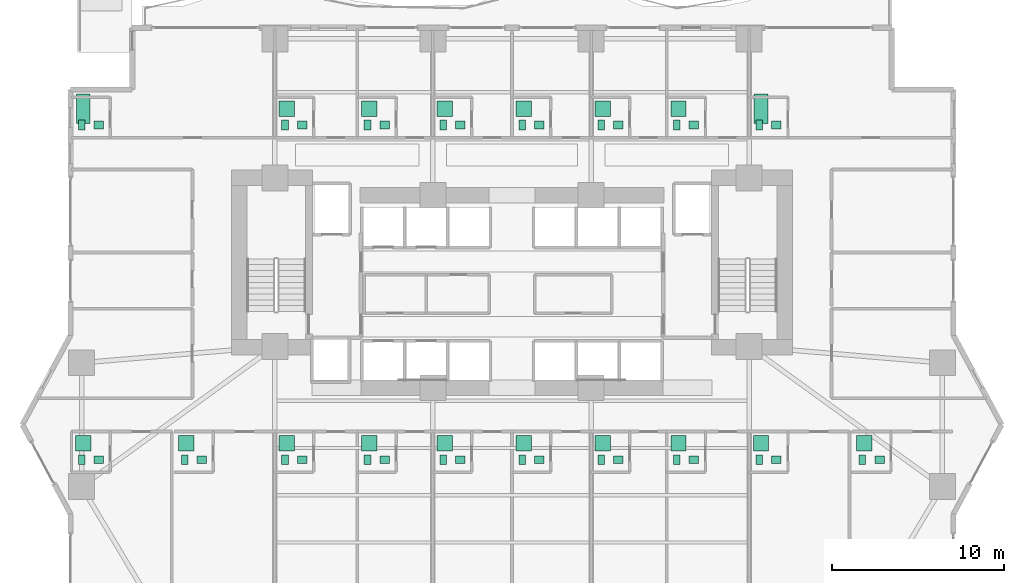
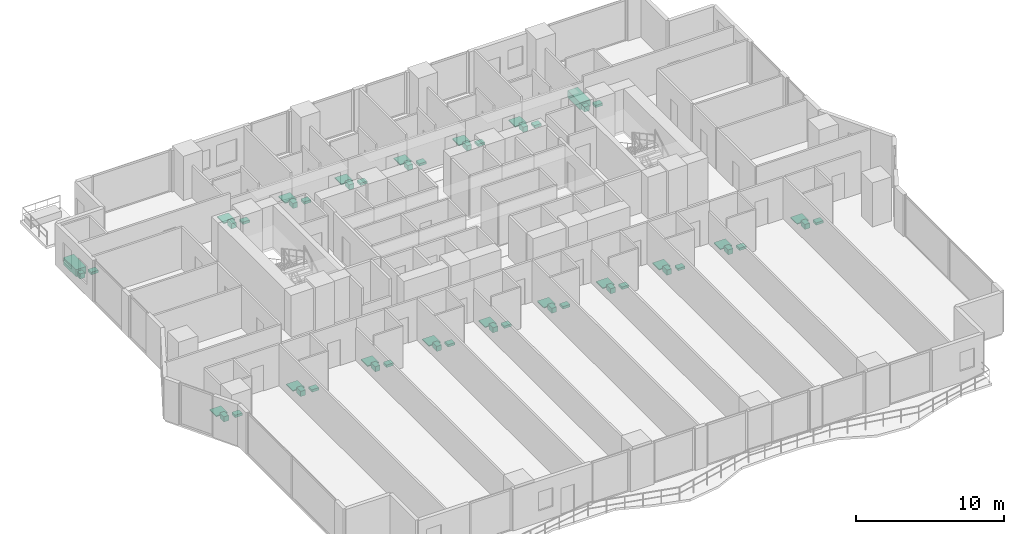
# One storey, part 29 of 29: 54 sanitary terminals.
"""IFC4 building model written with IfcOpenShell, lengths in metres."""

from ifc_helpers import new_model, si_unit, direction, frame, origin, origin_2d, place, context, subcontext, project, spatial, rectangle, extrude, material, type_object, element, save


model = new_model("IFC4")

# Units and contexts
model_context = context("Model", 3, precision=1e-05, world=origin(), true_north=direction((0.0, 1.0)))
body_context = subcontext(model_context, "Body", "Model", "MODEL_VIEW")
ifc_project = project(units=[si_unit("LENGTHUNIT", "METRE"), si_unit("AREAUNIT", "SQUARE_METRE"), si_unit("VOLUMEUNIT", "CUBIC_METRE"), si_unit("PLANEANGLEUNIT", "RADIAN"), si_unit("MASSUNIT", "GRAM", prefix="KILO")], contexts=[model_context])

# Site, building, storey
site_placement = place(None, origin())
site = spatial("IfcSite", under=ifc_project, at=site_placement, CompositionType="ELEMENT")
building_placement = place(site_placement, origin())
building = spatial("IfcBuilding", under=site, at=building_placement, Name="Zuhayl Quay Hotel", CompositionType="ELEMENT")
storey_placement = place(building_placement, frame((0.0, 0.0, 64.10009765625)))
storey = spatial("IfcBuildingStorey", under=building, at=storey_placement, Name="L15", CompositionType="ELEMENT", Elevation=64.10009765625)

# Sanitary terminals
ifc_material = material(Name="Vitreous Porcelain Sanitaryware")
sanitary_terminal_type_1 = type_object("IfcSanitaryTerminalType", Name="SAN_BASIN", PredefinedType="WASHHANDBASIN", material=ifc_material)
for number, where, z_axis, x_axis, name in (
    (1, (-24.050048828125, 17.43994140625, 0.0), (0.0, 0.0, 1.0), (1.0, 0.0, 0.0), "L15 Sanitary Fixture WASHHANDBASIN"),
    (2, (-12.2099609375, 17.43994140625, 0.0), (0.0, 0.0, 1.0), (1.0, 0.0, 0.0), "L15 Sanitary Fixture WASHHANDBASIN"),
    (3, (-7.409912109375, 17.43994140625, 0.0), (0.0, 0.0, 1.0), (1.0, 0.0, 0.0), "L15 Sanitary Fixture WASHHANDBASIN"),
    (4, (-3.010009765625, 17.43994140625, 0.0), (0.0, 0.0, 1.0), (1.0, 0.0, 0.0), "L15 Sanitary Fixture WASHHANDBASIN"),
    (5, (1.590087890625, 17.43994140625, 0.0), (0.0, 0.0, 1.0), (1.0, 0.0, 0.0), "L15 Sanitary Fixture WASHHANDBASIN"),
    (6, (6.18994140625, 17.43994140625, 0.0), (0.0, 0.0, 1.0), (1.0, 0.0, 0.0), "L15 Sanitary Fixture WASHHANDBASIN"),
    (7, (10.590087890625, 17.43994140625, 0.0), (0.0, 0.0, 1.0), (1.0, 0.0, 0.0), "L15 Sanitary Fixture WASHHANDBASIN"),
    (8, (15.389892578125, 17.43994140625, 0.0), (0.0, 0.0, 1.0), (1.0, 0.0, 0.0), "L15 Sanitary Fixture WASHHANDBASIN"),
    (9, (-24.050048828125, -2.0400390625, 0.0), (0.0, 0.0, 1.0), (1.0, 0.0, 0.0), "L15 Sanitary Fixture WASHHANDBASIN"),
    (10, (-18.050048828125, -2.0400390625, 0.0), (0.0, 0.0, 1.0), (1.0, 0.0, 0.0), "L15 Sanitary Fixture WASHHANDBASIN"),
    (11, (-12.2099609375, -2.0400390625, 0.0), (0.0, 0.0, 1.0), (1.0, 0.0, 0.0), "L15 Sanitary Fixture WASHHANDBASIN"),
    (12, (-7.409912109375, -2.0400390625, 0.0), (0.0, 0.0, 1.0), (1.0, 0.0, 0.0), "L15 Sanitary Fixture WASHHANDBASIN"),
    (13, (-3.010009765625, -2.0400390625, 0.0), (0.0, 0.0, 1.0), (1.0, 0.0, 0.0), "L15 Sanitary Fixture WASHHANDBASIN"),
    (14, (1.590087890625, -2.0400390625, 0.0), (0.0, 0.0, 1.0), (1.0, 0.0, 0.0), "L15 Sanitary Fixture WASHHANDBASIN"),
    (15, (6.18994140625, -2.0400390625, 0.0), (0.0, 0.0, 1.0), (1.0, 0.0, 0.0), "L15 Sanitary Fixture WASHHANDBASIN"),
    (16, (10.590087890625, -2.0400390625, 0.0), (0.0, 0.0, 1.0), (1.0, 0.0, 0.0), "L15 Sanitary Fixture WASHHANDBASIN"),
    (17, (15.389892578125, -2.0400390625, 0.0), (0.0, 0.0, 1.0), (1.0, 0.0, 0.0), "L15 Sanitary Fixture WASHHANDBASIN"),
    (18, (21.389892578125, -2.0400390625, 0.0), (0.0, 0.0, 1.0), (1.0, 0.0, 0.0), "L15 Sanitary Fixture WASHHANDBASIN"),
):
    element("IfcSanitaryTerminal", number, at=place(storey_placement, frame(where, z_axis=z_axis, x_axis=x_axis)), inside=storey, type_object=sanitary_terminal_type_1, Name=name, PredefinedType="WASHHANDBASIN", context=body_context, shape_type="SweptSolid", body=[
        extrude(rectangle(XDim=0.550048828125, YDim=0.449951171875, at=origin_2d()), origin(), (0.0, 0.0, 1.0), 0.199951171875),
    ])
sanitary_terminal_type_2 = type_object("IfcSanitaryTerminalType", Name="SAN_BATH", PredefinedType="BATH", material=ifc_material)
for number, where, z_axis, x_axis, name in (
    (19, (-24.949951171875, 18.389892578125, -0.000244140625), (0.0, 0.0, 1.0), (1.0, 0.0, 0.0), "L15 Sanitary Fixture BATH"),
    (20, (14.489990234375, 18.389892578125, -0.000244140625), (0.0, 0.0, 1.0), (1.0, 0.0, 0.0), "L15 Sanitary Fixture BATH"),
):
    element("IfcSanitaryTerminal", number, at=place(storey_placement, frame(where, z_axis=z_axis, x_axis=x_axis)), inside=storey, type_object=sanitary_terminal_type_2, Name=name, PredefinedType="BATH", context=body_context, shape_type="SweptSolid", body=[
        extrude(rectangle(XDim=0.800048828125, YDim=1.699951171875, at=origin_2d()), origin(), (0.0, 0.0, 1.0), 0.580078125),
    ])
sanitary_terminal_type_3 = type_object("IfcSanitaryTerminalType", Name="SAN_SHOWER", PredefinedType="SHOWER", material=ifc_material)
for number, where, z_axis, x_axis, name in (
    (21, (-13.110107421875, 18.389892578125, -0.000244140625), (0.0, 0.0, 1.0), (1.0, 0.0, 0.0), "L15 Sanitary Fixture SHOWER"),
    (22, (-8.31005859375, 18.389892578125, -0.000244140625), (0.0, 0.0, 1.0), (1.0, 0.0, 0.0), "L15 Sanitary Fixture SHOWER"),
    (23, (-3.909912109375, 18.389892578125, -0.000244140625), (0.0, 0.0, 1.0), (1.0, 0.0, 0.0), "L15 Sanitary Fixture SHOWER"),
    (24, (0.68994140625, 18.389892578125, -0.000244140625), (0.0, 0.0, 1.0), (1.0, 0.0, 0.0), "L15 Sanitary Fixture SHOWER"),
    (25, (5.2900390625, 18.389892578125, -0.000244140625), (0.0, 0.0, 1.0), (1.0, 0.0, 0.0), "L15 Sanitary Fixture SHOWER"),
    (26, (9.68994140625, 18.389892578125, -0.000244140625), (0.0, 0.0, 1.0), (1.0, 0.0, 0.0), "L15 Sanitary Fixture SHOWER"),
    (27, (-24.949951171875, -1.090087890625, -0.000244140625), (0.0, 0.0, 1.0), (1.0, 0.0, 0.0), "L15 Sanitary Fixture SHOWER"),
    (28, (-18.949951171875, -1.090087890625, -0.000244140625), (0.0, 0.0, 1.0), (1.0, 0.0, 0.0), "L15 Sanitary Fixture SHOWER"),
    (29, (-13.110107421875, -1.090087890625, -0.000244140625), (0.0, 0.0, 1.0), (1.0, 0.0, 0.0), "L15 Sanitary Fixture SHOWER"),
    (30, (-8.31005859375, -1.090087890625, -0.000244140625), (0.0, 0.0, 1.0), (1.0, 0.0, 0.0), "L15 Sanitary Fixture SHOWER"),
    (31, (-3.909912109375, -1.090087890625, -0.000244140625), (0.0, 0.0, 1.0), (1.0, 0.0, 0.0), "L15 Sanitary Fixture SHOWER"),
    (32, (0.68994140625, -1.090087890625, -0.000244140625), (0.0, 0.0, 1.0), (1.0, 0.0, 0.0), "L15 Sanitary Fixture SHOWER"),
    (33, (5.2900390625, -1.090087890625, -0.000244140625), (0.0, 0.0, 1.0), (1.0, 0.0, 0.0), "L15 Sanitary Fixture SHOWER"),
    (34, (9.68994140625, -1.090087890625, -0.000244140625), (0.0, 0.0, 1.0), (1.0, 0.0, 0.0), "L15 Sanitary Fixture SHOWER"),
    (35, (14.489990234375, -1.090087890625, -0.000244140625), (0.0, 0.0, 1.0), (1.0, 0.0, 0.0), "L15 Sanitary Fixture SHOWER"),
    (36, (20.489990234375, -1.090087890625, -0.000244140625), (0.0, 0.0, 1.0), (1.0, 0.0, 0.0), "L15 Sanitary Fixture SHOWER"),
):
    element("IfcSanitaryTerminal", number, at=place(storey_placement, frame(where, z_axis=z_axis, x_axis=x_axis)), inside=storey, type_object=sanitary_terminal_type_3, Name=name, PredefinedType="SHOWER", context=body_context, shape_type="SweptSolid", body=[
        extrude(rectangle(XDim=0.89990234375, YDim=0.89990234375, at=origin_2d()), origin(), (0.0, 0.0, 1.0), 0.080078125),
    ])
sanitary_terminal_type_4 = type_object("IfcSanitaryTerminalType", Name="SAN_WC", PredefinedType="TOILETPAN", material=ifc_material)
for number, where, z_axis, x_axis, name in (
    (37, (-25.050048828125, 17.43994140625, 0.0), (0.0, 0.0, 1.0), (1.0, 0.0, 0.0), "L15 Sanitary Fixture TOILETPAN"),
    (38, (-13.2099609375, 17.43994140625, 0.0), (0.0, 0.0, 1.0), (1.0, 0.0, 0.0), "L15 Sanitary Fixture TOILETPAN"),
    (39, (-8.409912109375, 17.43994140625, 0.0), (0.0, 0.0, 1.0), (1.0, 0.0, 0.0), "L15 Sanitary Fixture TOILETPAN"),
    (40, (-4.010009765625, 17.43994140625, 0.0), (0.0, 0.0, 1.0), (1.0, 0.0, 0.0), "L15 Sanitary Fixture TOILETPAN"),
    (41, (0.590087890625, 17.43994140625, 0.0), (0.0, 0.0, 1.0), (1.0, 0.0, 0.0), "L15 Sanitary Fixture TOILETPAN"),
    (42, (5.18994140625, 17.43994140625, 0.0), (0.0, 0.0, 1.0), (1.0, 0.0, 0.0), "L15 Sanitary Fixture TOILETPAN"),
    (43, (9.590087890625, 17.43994140625, 0.0), (0.0, 0.0, 1.0), (1.0, 0.0, 0.0), "L15 Sanitary Fixture TOILETPAN"),
    (44, (14.389892578125, 17.43994140625, 0.0), (0.0, 0.0, 1.0), (1.0, 0.0, 0.0), "L15 Sanitary Fixture TOILETPAN"),
    (45, (-25.050048828125, -2.0400390625, 0.0), (0.0, 0.0, 1.0), (1.0, 0.0, 0.0), "L15 Sanitary Fixture TOILETPAN"),
    (46, (-19.050048828125, -2.0400390625, 0.0), (0.0, 0.0, 1.0), (1.0, 0.0, 0.0), "L15 Sanitary Fixture TOILETPAN"),
    (47, (-13.2099609375, -2.0400390625, 0.0), (0.0, 0.0, 1.0), (1.0, 0.0, 0.0), "L15 Sanitary Fixture TOILETPAN"),
    (48, (-8.409912109375, -2.0400390625, 0.0), (0.0, 0.0, 1.0), (1.0, 0.0, 0.0), "L15 Sanitary Fixture TOILETPAN"),
    (49, (-4.010009765625, -2.0400390625, 0.0), (0.0, 0.0, 1.0), (1.0, 0.0, 0.0), "L15 Sanitary Fixture TOILETPAN"),
    (50, (0.590087890625, -2.0400390625, 0.0), (0.0, 0.0, 1.0), (1.0, 0.0, 0.0), "L15 Sanitary Fixture TOILETPAN"),
    (51, (5.18994140625, -2.0400390625, 0.0), (0.0, 0.0, 1.0), (1.0, 0.0, 0.0), "L15 Sanitary Fixture TOILETPAN"),
    (52, (9.590087890625, -2.0400390625, 0.0), (0.0, 0.0, 1.0), (1.0, 0.0, 0.0), "L15 Sanitary Fixture TOILETPAN"),
    (53, (14.389892578125, -2.0400390625, 0.0), (0.0, 0.0, 1.0), (1.0, 0.0, 0.0), "L15 Sanitary Fixture TOILETPAN"),
    (54, (20.389892578125, -2.0400390625, 0.0), (0.0, 0.0, 1.0), (1.0, 0.0, 0.0), "L15 Sanitary Fixture TOILETPAN"),
):
    element("IfcSanitaryTerminal", number, at=place(storey_placement, frame(where, z_axis=z_axis, x_axis=x_axis)), inside=storey, type_object=sanitary_terminal_type_4, Name=name, PredefinedType="TOILETPAN", context=body_context, shape_type="SweptSolid", body=[
        extrude(rectangle(XDim=0.3798828125, YDim=0.56005859375, at=origin_2d()), origin(), (0.0, 0.0, 1.0), 0.419921875),
    ])

save(model, "model.ifc")
